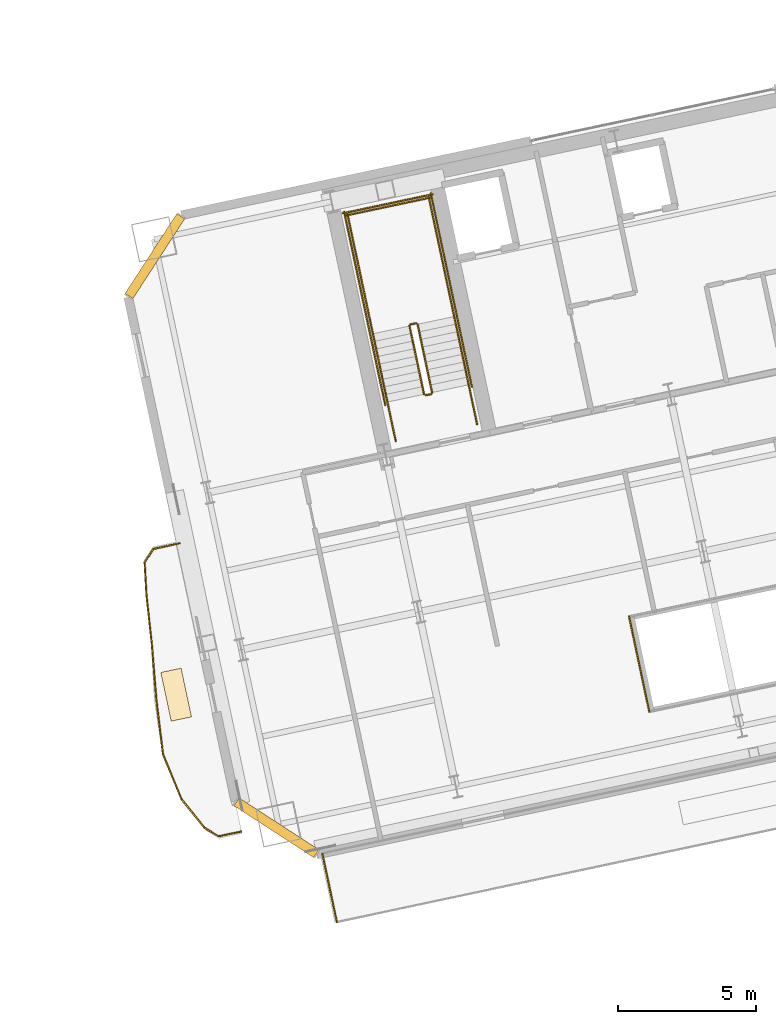
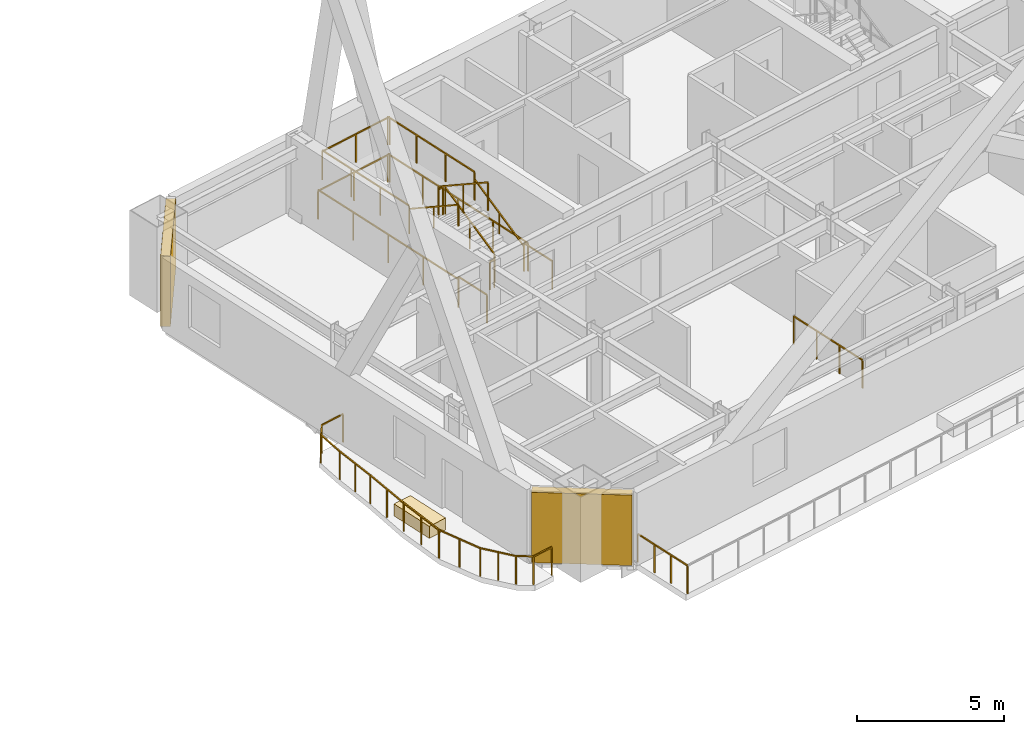
# One storey, part 20 of 22: 26 railings, 2 shading devices, 1 covering.
"""IFC4 building model written with IfcOpenShell, lengths in metres."""

from ifc_helpers import new_model, si_unit, direction, frame, origin, origin_2d, place, context, subcontext, project, spatial, rectangle, extrude, material, layer, layer_set, type_object, element, save


model = new_model("IFC4")

# Units and contexts
model_context = context("Model", 3, precision=1e-05, world=origin(), true_north=direction((0.0, 1.0)))
body_context = subcontext(model_context, "Body", "Model", "MODEL_VIEW")
ifc_project = project(units=[si_unit("LENGTHUNIT", "METRE"), si_unit("AREAUNIT", "SQUARE_METRE"), si_unit("VOLUMEUNIT", "CUBIC_METRE"), si_unit("PLANEANGLEUNIT", "RADIAN"), si_unit("MASSUNIT", "GRAM", prefix="KILO")], contexts=[model_context])

# Site, building, storey
site_placement = place(None, origin())
site = spatial("IfcSite", under=ifc_project, at=site_placement, CompositionType="ELEMENT")
building_placement = place(site_placement, origin())
building = spatial("IfcBuilding", under=site, at=building_placement, Name="Haevon Station Towers", CompositionType="ELEMENT")
storey_placement = place(building_placement, frame((0.0, 0.0, 113.10009765625)))
storey = spatial("IfcBuildingStorey", under=building, at=storey_placement, Name="L30", CompositionType="ELEMENT", Elevation=113.10009765625)

# Railings
ifc_material_1 = material(Name="Steel S355", Category="steel")
railing_type_1 = type_object("IfcRailingType", Name="BAL-ATR1200", PredefinedType="BALUSTRADE", material=ifc_material_1)
railing_1_placement = place(storey_placement, frame((107.55419921875, 31.60400390625, 0.0)))
element("IfcRailing", 1, at=railing_1_placement, inside=storey, type_object=railing_type_1, Name="L30 Atrium Void Balustrade 4", PredefinedType="BALUSTRADE", context=body_context, shape_type="SweptSolid", body=[
    extrude(rectangle(XDim=0.048095703125, YDim=0.048095703125, at=origin_2d()), frame((0.0, 0.0, 1.17578125), z_axis=(0.207898592019, -0.978150384878, 0.0), x_axis=(0.978150384878, 0.207898592019, 0.0)), (0.0, 0.0, 1.0), 3.518310546875),
    extrude(rectangle(XDim=0.0419921875, YDim=0.0419921875, at=origin_2d()), origin(), (0.0, 0.0, 1.0), 1.15185546875),
    extrude(rectangle(XDim=0.0419921875, YDim=0.0419921875, at=origin_2d()), frame((0.243896484375, -1.147216796875, 0.0)), (0.0, 0.0, 1.0), 1.15185546875),
    extrude(rectangle(XDim=0.0419921875, YDim=0.0419921875, at=origin_2d()), frame((0.487548828125, -2.294189453125, 0.0)), (0.0, 0.0, 1.0), 1.15185546875),
    extrude(rectangle(XDim=0.0419921875, YDim=0.0419921875, at=origin_2d()), frame((0.7314453125, -3.44140625, 0.0)), (0.0, 0.0, 1.0), 1.15185546875),
])
railing_type_2 = type_object("IfcRailingType", Name="GRD-EXT1200", PredefinedType="GUARDRAIL", material=ifc_material_1)
railing_2_placement = place(storey_placement, frame((96.47607421875, 23.04296875, 0.0)))
element("IfcRailing", 2, at=railing_2_placement, inside=storey, type_object=railing_type_2, Name="L30 Perimeter Guardrail 3", PredefinedType="GUARDRAIL", context=body_context, shape_type="SweptSolid", body=[
    extrude(rectangle(XDim=0.048095703125, YDim=0.048095703125, at=origin_2d()), frame((0.0, 0.0, 1.17578125), z_axis=(0.207968301241, -0.978135566105, 0.0), x_axis=(0.978135566105, 0.207968301241, 0.0)), (0.0, 0.0, 1.0), 2.5322265625),
    extrude(rectangle(XDim=0.0419921875, YDim=0.0419921875, at=origin_2d()), origin(), (0.0, 0.0, 1.0), 1.15185546875),
    extrude(rectangle(XDim=0.0419921875, YDim=0.0419921875, at=origin_2d()), frame((0.175537109375, -0.82568359375, 0.0)), (0.0, 0.0, 1.0), 1.15185546875),
    extrude(rectangle(XDim=0.0419921875, YDim=0.0419921875, at=origin_2d()), frame((0.35107421875, -1.651123046875, 0.0)), (0.0, 0.0, 1.0), 1.15185546875),
    extrude(rectangle(XDim=0.0419921875, YDim=0.0419921875, at=origin_2d()), frame((0.526611328125, -2.476806640625, 0.0)), (0.0, 0.0, 1.0), 1.15185546875),
])
railing_3_placement = place(storey_placement, frame((91.330078125, 34.251708984375, 0.0)))
element("IfcRailing", 3, at=railing_3_placement, inside=storey, type_object=railing_type_2, Name="L30 Perimeter Guardrail 1", PredefinedType="GUARDRAIL", context=body_context, shape_type="SweptSolid", body=[
    extrude(rectangle(XDim=0.048095703125, YDim=0.048095703125, at=origin_2d()), frame((0.0, 0.0, 1.17578125), z_axis=(-0.97771801885, -0.209922546707, 0.0), x_axis=(0.209922546707, -0.97771801885, 0.0)), (0.0, 0.0, 1.0), 0.974609375),
    extrude(rectangle(XDim=0.0419921875, YDim=0.0419921875, at=origin_2d()), origin(), (0.0, 0.0, 1.0), 1.15185546875),
    extrude(rectangle(XDim=0.0419921875, YDim=0.0419921875, at=origin_2d()), frame((-0.952880859375, -0.20458984375, 0.0)), (0.0, 0.0, 1.0), 1.15185546875),
])
railing_4_placement = place(storey_placement, frame((90.377197265625, 34.047119140625, 0.0)))
element("IfcRailing", 4, at=railing_4_placement, inside=storey, type_object=railing_type_2, Name="L30 Perimeter Guardrail 2", PredefinedType="GUARDRAIL", context=body_context, shape_type="SweptSolid", body=[
    extrude(rectangle(XDim=0.048095703125, YDim=0.048095703125, at=origin_2d()), frame((0.0, 0.0, 1.17578125), z_axis=(-0.548902781063, -0.835886198559, 0.0), x_axis=(0.835886198559, -0.548902781063, 0.0)), (0.0, 0.0, 1.0), 0.58447265625),
    extrude(rectangle(XDim=0.0419921875, YDim=0.0419921875, at=origin_2d()), origin(), (0.0, 0.0, 1.0), 1.15185546875),
    extrude(rectangle(XDim=0.0419921875, YDim=0.0419921875, at=origin_2d()), frame((-0.32080078125, -0.488525390625, 0.0)), (0.0, 0.0, 1.0), 1.15185546875),
])
railing_5_placement = place(storey_placement, frame((90.056396484375, 33.55859375, 0.0)))
element("IfcRailing", 5, at=railing_5_placement, inside=storey, type_object=railing_type_2, Name="L30 Perimeter Guardrail 3", PredefinedType="GUARDRAIL", context=body_context, shape_type="SweptSolid", body=[
    extrude(rectangle(XDim=0.048095703125, YDim=0.048095703125, at=origin_2d()), frame((0.0, 0.0, 1.17578125), z_axis=(0.057319894668, -0.998355863245, 0.0), x_axis=(0.998355863245, 0.057319894668, 0.0)), (0.0, 0.0, 1.0), 1.18408203125),
    extrude(rectangle(XDim=0.0419921875, YDim=0.0419921875, at=origin_2d()), origin(), (0.0, 0.0, 1.0), 1.15185546875),
    extrude(rectangle(XDim=0.0419921875, YDim=0.0419921875, at=origin_2d()), frame((0.06787109375, -1.18212890625, 0.0)), (0.0, 0.0, 1.0), 1.15185546875),
])
railing_6_placement = place(storey_placement, frame((90.124267578125, 32.37646484375, 0.0)))
element("IfcRailing", 6, at=railing_6_placement, inside=storey, type_object=railing_type_2, Name="L30 Perimeter Guardrail 4", PredefinedType="GUARDRAIL", context=body_context, shape_type="SweptSolid", body=[
    extrude(rectangle(XDim=0.048095703125, YDim=0.048095703125, at=origin_2d()), frame((0.0, 0.0, 1.17578125), z_axis=(0.108694440393, -0.994075207732, 0.0), x_axis=(0.994075207732, 0.108694440393, 0.0)), (0.0, 0.0, 1.0), 1.7587890625),
    extrude(rectangle(XDim=0.0419921875, YDim=0.0419921875, at=origin_2d()), origin(), (0.0, 0.0, 1.0), 1.15185546875),
    extrude(rectangle(XDim=0.0419921875, YDim=0.0419921875, at=origin_2d()), frame((0.095703125, -0.8740234375, 0.0)), (0.0, 0.0, 1.0), 1.15185546875),
    extrude(rectangle(XDim=0.0419921875, YDim=0.0419921875, at=origin_2d()), frame((0.191162109375, -1.748291015625, 0.0)), (0.0, 0.0, 1.0), 1.15185546875),
])
railing_7_placement = place(storey_placement, frame((90.3154296875, 30.628173828125, 0.0)))
element("IfcRailing", 7, at=railing_7_placement, inside=storey, type_object=railing_type_2, Name="L30 Perimeter Guardrail 5", PredefinedType="GUARDRAIL", context=body_context, shape_type="SweptSolid", body=[
    extrude(rectangle(XDim=0.048095703125, YDim=0.048095703125, at=origin_2d()), frame((0.0, 0.0, 1.17578125), z_axis=(0.081453337107, -0.996677156292, 0.0), x_axis=(0.996677156292, 0.081453337107, 0.0)), (0.0, 0.0, 1.0), 2.005126953125),
    extrude(rectangle(XDim=0.0419921875, YDim=0.0419921875, at=origin_2d()), origin(), (0.0, 0.0, 1.0), 1.15185546875),
    extrude(rectangle(XDim=0.0419921875, YDim=0.0419921875, at=origin_2d()), frame((0.08154296875, -0.999267578125, 0.0)), (0.0, 0.0, 1.0), 1.15185546875),
    extrude(rectangle(XDim=0.0419921875, YDim=0.0419921875, at=origin_2d()), frame((0.163330078125, -1.99853515625, 0.0)), (0.0, 0.0, 1.0), 1.15185546875),
])
railing_8_placement = place(storey_placement, frame((90.478759765625, 28.629638671875, 0.0)))
element("IfcRailing", 8, at=railing_8_placement, inside=storey, type_object=railing_type_2, Name="L30 Perimeter Guardrail 6", PredefinedType="GUARDRAIL", context=body_context, shape_type="SweptSolid", body=[
    extrude(rectangle(XDim=0.048095703125, YDim=0.048095703125, at=origin_2d()), frame((0.0, 0.0, 1.17578125), z_axis=(0.120145587776, -0.992756283152, 0.0), x_axis=(0.992756283152, 0.120145587776, 0.0)), (0.0, 0.0, 1.0), 2.00146484375),
    extrude(rectangle(XDim=0.0419921875, YDim=0.0419921875, at=origin_2d()), origin(), (0.0, 0.0, 1.0), 1.15185546875),
    extrude(rectangle(XDim=0.0419921875, YDim=0.0419921875, at=origin_2d()), frame((0.1201171875, -0.99365234375, 0.0)), (0.0, 0.0, 1.0), 1.15185546875),
    extrude(rectangle(XDim=0.0419921875, YDim=0.0419921875, at=origin_2d()), frame((0.240478515625, -1.987060546875, 0.0)), (0.0, 0.0, 1.0), 1.15185546875),
])
railing_9_placement = place(storey_placement, frame((90.71923828125, 26.642578125, 0.0)))
element("IfcRailing", 9, at=railing_9_placement, inside=storey, type_object=railing_type_2, Name="L30 Perimeter Guardrail 7", PredefinedType="GUARDRAIL", context=body_context, shape_type="SweptSolid", body=[
    extrude(rectangle(XDim=0.048095703125, YDim=0.048095703125, at=origin_2d()), frame((0.0, 0.0, 1.17578125), z_axis=(0.38000924895, -0.92498268671, 0.0), x_axis=(0.92498268671, 0.38000924895, 0.0)), (0.0, 0.0, 1.0), 1.7744140625),
    extrude(rectangle(XDim=0.0419921875, YDim=0.0419921875, at=origin_2d()), origin(), (0.0, 0.0, 1.0), 1.15185546875),
    extrude(rectangle(XDim=0.0419921875, YDim=0.0419921875, at=origin_2d()), frame((0.337158203125, -0.82080078125, 0.0)), (0.0, 0.0, 1.0), 1.15185546875),
    extrude(rectangle(XDim=0.0419921875, YDim=0.0419921875, at=origin_2d()), frame((0.67431640625, -1.641357421875, 0.0)), (0.0, 0.0, 1.0), 1.15185546875),
])
railing_10_placement = place(storey_placement, frame((91.3935546875, 25.001220703125, 0.0)))
element("IfcRailing", 10, at=railing_10_placement, inside=storey, type_object=railing_type_2, Name="L30 Perimeter Guardrail 8", PredefinedType="GUARDRAIL", context=body_context, shape_type="SweptSolid", body=[
    extrude(rectangle(XDim=0.048095703125, YDim=0.048095703125, at=origin_2d()), frame((0.0, 0.0, 1.17578125), z_axis=(0.628207120121, -0.778046151735, 0.0), x_axis=(0.778046151735, 0.628207120121, 0.0)), (0.0, 0.0, 1.0), 1.3115234375),
    extrude(rectangle(XDim=0.0419921875, YDim=0.0419921875, at=origin_2d()), origin(), (0.0, 0.0, 1.0), 1.15185546875),
    extrude(rectangle(XDim=0.0419921875, YDim=0.0419921875, at=origin_2d()), frame((0.412109375, -0.51025390625, 0.0)), (0.0, 0.0, 1.0), 1.15185546875),
    extrude(rectangle(XDim=0.0419921875, YDim=0.0419921875, at=origin_2d()), frame((0.823974609375, -1.0205078125, 0.0)), (0.0, 0.0, 1.0), 1.15185546875),
])
railing_11_placement = place(storey_placement, frame((92.217529296875, 23.980712890625, 0.0)))
element("IfcRailing", 11, at=railing_11_placement, inside=storey, type_object=railing_type_2, Name="L30 Perimeter Guardrail 9", PredefinedType="GUARDRAIL", context=body_context, shape_type="SweptSolid", body=[
    extrude(rectangle(XDim=0.048095703125, YDim=0.048095703125, at=origin_2d()), frame((0.0, 0.0, 1.17578125), z_axis=(0.850090143897, -0.52663720648, 0.0), x_axis=(0.52663720648, 0.850090143897, 0.0)), (0.0, 0.0, 1.0), 0.5947265625),
    extrude(rectangle(XDim=0.0419921875, YDim=0.0419921875, at=origin_2d()), origin(), (0.0, 0.0, 1.0), 1.15185546875),
    extrude(rectangle(XDim=0.0419921875, YDim=0.0419921875, at=origin_2d()), frame((0.505615234375, -0.313232421875, 0.0)), (0.0, 0.0, 1.0), 1.15185546875),
])
railing_12_placement = place(storey_placement, frame((92.72314453125, 23.66748046875, 0.0)))
element("IfcRailing", 12, at=railing_12_placement, inside=storey, type_object=railing_type_2, Name="L30 Perimeter Guardrail 10", PredefinedType="GUARDRAIL", context=body_context, shape_type="SweptSolid", body=[
    extrude(rectangle(XDim=0.048095703125, YDim=0.048095703125, at=origin_2d()), frame((0.0, 0.0, 1.17578125), z_axis=(0.978617737227, 0.20568744343, 0.0), x_axis=(-0.20568744343, 0.978617737227, 0.0)), (0.0, 0.0, 1.0), 0.837890625),
    extrude(rectangle(XDim=0.0419921875, YDim=0.0419921875, at=origin_2d()), origin(), (0.0, 0.0, 1.0), 1.15185546875),
    extrude(rectangle(XDim=0.0419921875, YDim=0.0419921875, at=origin_2d()), frame((0.820068359375, 0.17236328125, 0.0)), (0.0, 0.0, 1.0), 1.15185546875),
])
railing_type_3 = type_object("IfcRailingType", Name="GRD-STR1200", PredefinedType="GUARDRAIL", material=ifc_material_1)
railing_13_placement = place(storey_placement, frame((100.44140625, 39.69287109375, 0.164794921875)))
element("IfcRailing", 13, at=railing_13_placement, inside=storey, type_object=railing_type_3, Name="L30 ST3 Stair Guard 1", PredefinedType="GUARDRAIL", context=body_context, shape_type="SweptSolid", body=[
    extrude(rectangle(XDim=0.048095703125, YDim=0.048095703125, at=origin_2d()), frame((0.0, 0.0, 1.17578125), z_axis=(-0.179121265225, 0.842687928106, 0.507732831485), x_axis=(-0.978147030254, -0.207914374695, 0.0)), (0.0, 0.0, 1.0), 2.925048828125),
    extrude(rectangle(XDim=0.0419921875, YDim=0.0419921875, at=origin_2d()), origin(), (0.0, 0.0, 1.0), 1.15185546875),
    extrude(rectangle(XDim=0.0419921875, YDim=0.0419921875, at=origin_2d()), frame((-0.261962890625, 1.232421875, 0.74267578125)), (0.0, 0.0, 1.0), 1.15185546875),
    extrude(rectangle(XDim=0.0419921875, YDim=0.0419921875, at=origin_2d()), frame((-0.52392578125, 2.46484375, 1.485107421875)), (0.0, 0.0, 1.0), 1.15185546875),
])
railing_14_placement = place(storey_placement, frame((99.858154296875, 42.1962890625, 1.64990234375)))
element("IfcRailing", 14, at=railing_14_placement, inside=storey, type_object=railing_type_3, Name="L30 ST3 Stair Guard 2", PredefinedType="GUARDRAIL", context=body_context, shape_type="SweptSolid", body=[
    extrude(rectangle(XDim=0.048095703125, YDim=0.048095703125, at=origin_2d()), frame((0.0, 0.0, 1.17578125), z_axis=(-0.977962931203, -0.208778603291, 0.0), x_axis=(0.208778603291, -0.977962931203, 0.0)), (0.0, 0.0, 1.0), 0.199951171875),
    extrude(rectangle(XDim=0.0419921875, YDim=0.0419921875, at=origin_2d()), origin(), (0.0, 0.0, 1.0), 1.15185546875),
    extrude(rectangle(XDim=0.0419921875, YDim=0.0419921875, at=origin_2d()), frame((-0.195556640625, -0.041748046875, 0.0)), (0.0, 0.0, 1.0), 1.15185546875),
])
railing_15_placement = place(storey_placement, frame((101.238037109375, 42.4384765625, 1.64990234375)))
element("IfcRailing", 15, at=railing_15_placement, inside=storey, type_object=railing_type_3, Name="L30 ST3 Stair Guard 3", PredefinedType="GUARDRAIL", context=body_context, shape_type="SweptSolid", body=[
    extrude(rectangle(XDim=0.048095703125, YDim=0.048095703125, at=origin_2d()), frame((0.0, 0.0, 1.17578125), z_axis=(-0.20794048909, 0.978141479029, 0.0), x_axis=(-0.978141479029, -0.20794048909, 0.0)), (0.0, 0.0, 1.0), 4.429931640625),
    extrude(rectangle(XDim=0.0419921875, YDim=0.0419921875, at=origin_2d()), origin(), (0.0, 0.0, 1.0), 1.15185546875),
    extrude(rectangle(XDim=0.0419921875, YDim=0.0419921875, at=origin_2d()), frame((-0.30712890625, 1.4443359375, 0.0)), (0.0, 0.0, 1.0), 1.15185546875),
    extrude(rectangle(XDim=0.0419921875, YDim=0.0419921875, at=origin_2d()), frame((-0.614013671875, 2.888671875, 0.0)), (0.0, 0.0, 1.0), 1.15185546875),
    extrude(rectangle(XDim=0.0419921875, YDim=0.0419921875, at=origin_2d()), frame((-0.921142578125, 4.3330078125, 0.0)), (0.0, 0.0, 1.0), 1.15185546875),
])
railing_16_placement = place(storey_placement, frame((98.303466796875, 41.814697265625, 1.64990234375)))
element("IfcRailing", 16, at=railing_16_placement, inside=storey, type_object=railing_type_3, Name="L30 ST3 Stair Guard 4", PredefinedType="GUARDRAIL", context=body_context, shape_type="SweptSolid", body=[
    extrude(rectangle(XDim=0.048095703125, YDim=0.048095703125, at=origin_2d()), frame((0.0, 0.0, 1.17578125), z_axis=(-0.207876551949, 0.978155069071, 0.0), x_axis=(-0.978155069071, -0.207876551949, 0.0)), (0.0, 0.0, 1.0), 4.429931640625),
    extrude(rectangle(XDim=0.0419921875, YDim=0.0419921875, at=origin_2d()), origin(), (0.0, 0.0, 1.0), 1.15185546875),
    extrude(rectangle(XDim=0.0419921875, YDim=0.0419921875, at=origin_2d()), frame((-0.306884765625, 1.4443359375, 0.0)), (0.0, 0.0, 1.0), 1.15185546875),
    extrude(rectangle(XDim=0.0419921875, YDim=0.0419921875, at=origin_2d()), frame((-0.614013671875, 2.888916015625, 0.0)), (0.0, 0.0, 1.0), 1.15185546875),
    extrude(rectangle(XDim=0.0419921875, YDim=0.0419921875, at=origin_2d()), frame((-0.9208984375, 4.333251953125, 0.0)), (0.0, 0.0, 1.0), 1.15185546875),
])
railing_17_placement = place(storey_placement, frame((100.376220703125, 46.733154296875, 1.64990234375)))
element("IfcRailing", 17, at=railing_17_placement, inside=storey, type_object=railing_type_3, Name="L30 ST3 Stair Guard 5", PredefinedType="GUARDRAIL", context=body_context, shape_type="SweptSolid", body=[
    extrude(rectangle(XDim=0.048095703125, YDim=0.048095703125, at=origin_2d()), frame((0.0, 0.0, 1.17578125), z_axis=(-0.978146839882, -0.207915270313, 0.0), x_axis=(0.207915270313, -0.978146839882, 0.0)), (0.0, 0.0, 1.0), 3.099853515625),
    extrude(rectangle(XDim=0.0419921875, YDim=0.0419921875, at=origin_2d()), origin(), (0.0, 0.0, 1.0), 1.15185546875),
    extrude(rectangle(XDim=0.0419921875, YDim=0.0419921875, at=origin_2d()), frame((-1.51611328125, -0.322265625, 0.0)), (0.0, 0.0, 1.0), 1.15185546875),
    extrude(rectangle(XDim=0.0419921875, YDim=0.0419921875, at=origin_2d()), frame((-3.0322265625, -0.64453125, 0.0)), (0.0, 0.0, 1.0), 1.15185546875),
])
railing_18_placement = place(storey_placement, frame((99.6240234375, 42.09521484375, 1.81494140625)))
element("IfcRailing", 18, at=railing_18_placement, inside=storey, type_object=railing_type_3, Name="L30 ST3 Stair Guard 6", PredefinedType="GUARDRAIL", context=body_context, shape_type="SweptSolid", body=[
    extrude(rectangle(XDim=0.048095703125, YDim=0.048095703125, at=origin_2d()), frame((0.0, 0.0, 1.17578125), z_axis=(0.179128856099, -0.842723639875, 0.507670877349), x_axis=(0.978147030254, 0.207914374695, 0.0)), (0.0, 0.0, 1.0), 2.9248046875),
    extrude(rectangle(XDim=0.0419921875, YDim=0.0419921875, at=origin_2d()), origin(), (0.0, 0.0, 1.0), 1.15185546875),
    extrude(rectangle(XDim=0.0419921875, YDim=0.0419921875, at=origin_2d()), frame((0.261962890625, -1.232421875, 0.742431640625)), (0.0, 0.0, 1.0), 1.15185546875),
    extrude(rectangle(XDim=0.0419921875, YDim=0.0419921875, at=origin_2d()), frame((0.52392578125, -2.46484375, 1.48486328125)), (0.0, 0.0, 1.0), 1.15185546875),
])
railing_19_placement = place(storey_placement, frame((100.40283203125, 39.633544921875, 0.0)))
element("IfcRailing", 19, at=railing_19_placement, inside=storey, type_object=railing_type_3, Name="L30 ST3 Stair Guard 7", PredefinedType="GUARDRAIL", context=body_context, shape_type="SweptSolid", body=[
    extrude(rectangle(XDim=0.048095703125, YDim=0.048095703125, at=origin_2d()), frame((0.0, 0.0, 1.17578125), z_axis=(-0.977962931203, -0.208778603291, 0.0), x_axis=(0.208778603291, -0.977962931203, 0.0)), (0.0, 0.0, 1.0), 0.199951171875),
    extrude(rectangle(XDim=0.0419921875, YDim=0.0419921875, at=origin_2d()), origin(), (0.0, 0.0, 1.0), 1.15185546875),
    extrude(rectangle(XDim=0.0419921875, YDim=0.0419921875, at=origin_2d()), frame((-0.195556640625, -0.041748046875, 0.0)), (0.0, 0.0, 1.0), 1.15185546875),
])
for number, where, name in (
    (20, (102.0634765625, 38.55517578125, 0.0), "L30 ST3 Stair Guard 8"),
    (21, (99.12890625, 37.931396484375, 0.0), "L30 ST3 Stair Guard 9"),
):
    element("IfcRailing", number, at=place(storey_placement, frame(where)), inside=storey, type_object=railing_type_3, Name=name, PredefinedType="GUARDRAIL", context=body_context, shape_type="SweptSolid", body=[
        extrude(rectangle(XDim=0.048095703125, YDim=0.048095703125, at=origin_2d()), frame((0.0, 0.0, 1.17578125), z_axis=(-0.207953405961, 0.978138732977, 0.0), x_axis=(-0.978138732977, -0.207953405961, 0.0)), (0.0, 0.0, 1.0), 1.449951171875),
        extrude(rectangle(XDim=0.0419921875, YDim=0.0419921875, at=origin_2d()), origin(), (0.0, 0.0, 1.0), 1.15185546875),
        extrude(rectangle(XDim=0.0419921875, YDim=0.0419921875, at=origin_2d()), frame((-0.301513671875, 1.418212890625, 0.0)), (0.0, 0.0, 1.0), 1.15185546875),
    ])
railing_20_placement = place(storey_placement, frame((101.88037109375, 39.896484375, 0.0)))
element("IfcRailing", 22, at=railing_20_placement, inside=storey, type_object=railing_type_3, Name="L30 ST3 Stair Guard 10", PredefinedType="GUARDRAIL", context=body_context, shape_type="SweptSolid", body=[
    extrude(rectangle(XDim=0.048095703125, YDim=0.048095703125, at=origin_2d()), frame((0.0, 0.0, 1.17578125), z_axis=(-0.207882442208, 0.978153817261, 0.0), x_axis=(-0.978153817261, -0.207882442208, 0.0)), (0.0, 0.0, 1.0), 7.14990234375),
    extrude(rectangle(XDim=0.0419921875, YDim=0.0419921875, at=origin_2d()), origin(), (0.0, 0.0, 1.0), 1.15185546875),
    extrude(rectangle(XDim=0.0419921875, YDim=0.0419921875, at=origin_2d()), frame((-0.37158203125, 1.74853515625, 0.0)), (0.0, 0.0, 1.0), 1.15185546875),
    extrude(rectangle(XDim=0.0419921875, YDim=0.0419921875, at=origin_2d()), frame((-0.7431640625, 3.496826171875, 0.0)), (0.0, 0.0, 1.0), 1.15185546875),
    extrude(rectangle(XDim=0.0419921875, YDim=0.0419921875, at=origin_2d()), frame((-1.11474609375, 5.2451171875, 0.0)), (0.0, 0.0, 1.0), 1.15185546875),
    extrude(rectangle(XDim=0.0419921875, YDim=0.0419921875, at=origin_2d()), frame((-1.486328125, 6.99365234375, 0.0)), (0.0, 0.0, 1.0), 1.15185546875),
])
railing_21_placement = place(storey_placement, frame((98.75048828125, 39.231201171875, 0.0)))
element("IfcRailing", 23, at=railing_21_placement, inside=storey, type_object=railing_type_3, Name="L30 ST3 Stair Guard 11", PredefinedType="GUARDRAIL", context=body_context, shape_type="SweptSolid", body=[
    extrude(rectangle(XDim=0.048095703125, YDim=0.048095703125, at=origin_2d()), frame((0.0, 0.0, 1.17578125), z_axis=(-0.207915112487, 0.978146873429, 0.0), x_axis=(-0.978146873429, -0.207915112487, 0.0)), (0.0, 0.0, 1.0), 7.14990234375),
    extrude(rectangle(XDim=0.0419921875, YDim=0.0419921875, at=origin_2d()), origin(), (0.0, 0.0, 1.0), 1.15185546875),
    extrude(rectangle(XDim=0.0419921875, YDim=0.0419921875, at=origin_2d()), frame((-0.37158203125, 1.74853515625, 0.0)), (0.0, 0.0, 1.0), 1.15185546875),
    extrude(rectangle(XDim=0.0419921875, YDim=0.0419921875, at=origin_2d()), frame((-0.7431640625, 3.496826171875, 0.0)), (0.0, 0.0, 1.0), 1.15185546875),
    extrude(rectangle(XDim=0.0419921875, YDim=0.0419921875, at=origin_2d()), frame((-1.114990234375, 5.2451171875, 0.0)), (0.0, 0.0, 1.0), 1.15185546875),
    extrude(rectangle(XDim=0.0419921875, YDim=0.0419921875, at=origin_2d()), frame((-1.486572265625, 6.99365234375, 0.0)), (0.0, 0.0, 1.0), 1.15185546875),
])
railing_22_placement = place(storey_placement, frame((100.453125, 46.8515625, 0.0)))
element("IfcRailing", 24, at=railing_22_placement, inside=storey, type_object=railing_type_3, Name="L30 ST3 Stair Guard 12", PredefinedType="GUARDRAIL", context=body_context, shape_type="SweptSolid", body=[
    extrude(rectangle(XDim=0.048095703125, YDim=0.048095703125, at=origin_2d()), frame((0.0, 0.0, 1.17578125), z_axis=(-0.978150764849, -0.207896804268, 0.0), x_axis=(0.207896804268, -0.978150764849, 0.0)), (0.0, 0.0, 1.0), 3.2998046875),
    extrude(rectangle(XDim=0.0419921875, YDim=0.0419921875, at=origin_2d()), origin(), (0.0, 0.0, 1.0), 1.15185546875),
    extrude(rectangle(XDim=0.0419921875, YDim=0.0419921875, at=origin_2d()), frame((-1.61376953125, -0.343017578125, 0.0)), (0.0, 0.0, 1.0), 1.15185546875),
    extrude(rectangle(XDim=0.0419921875, YDim=0.0419921875, at=origin_2d()), frame((-3.227783203125, -0.68603515625, 0.0)), (0.0, 0.0, 1.0), 1.15185546875),
])
railing_type_4 = type_object("IfcRailingType", Name="HND-STR900", PredefinedType="HANDRAIL", material=ifc_material_1)
railing_23_placement = place(storey_placement, frame((101.761962890625, 39.973388671875, 0.164794921875)))
element("IfcRailing", 25, at=railing_23_placement, inside=storey, type_object=railing_type_4, Name="L30 ST3 Stair Handrail 1", PredefinedType="HANDRAIL", context=body_context, shape_type="SweptSolid", body=[
    extrude(rectangle(XDim=0.048095703125, YDim=0.048095703125, at=origin_2d()), frame((0.0, 0.0, 0.8759765625), z_axis=(-0.179108667068, 0.842712120868, 0.50769712105), x_axis=(-0.978151217824, -0.207894673017, 0.0)), (0.0, 0.0, 1.0), 2.92529296875),
    extrude(rectangle(XDim=0.0419921875, YDim=0.0419921875, at=origin_2d()), origin(), (0.0, 0.0, 1.0), 0.851806640625),
    extrude(rectangle(XDim=0.0419921875, YDim=0.0419921875, at=origin_2d()), frame((-0.261962890625, 1.232421875, 0.74267578125)), (0.0, 0.0, 1.0), 0.851806640625),
    extrude(rectangle(XDim=0.0419921875, YDim=0.0419921875, at=origin_2d()), frame((-0.52392578125, 2.465087890625, 1.485107421875)), (0.0, 0.0, 1.0), 0.851806640625),
])
railing_24_placement = place(storey_placement, frame((98.303466796875, 41.814697265625, 1.81494140625)))
element("IfcRailing", 26, at=railing_24_placement, inside=storey, type_object=railing_type_4, Name="L30 ST3 Stair Handrail 2", PredefinedType="HANDRAIL", context=body_context, shape_type="SweptSolid", body=[
    extrude(rectangle(XDim=0.048095703125, YDim=0.048095703125, at=origin_2d()), frame((0.0, 0.0, 0.8759765625), z_axis=(0.179116256339, -0.842747828638, 0.507635168246), x_axis=(0.978151217824, 0.207894673017, 0.0)), (0.0, 0.0, 1.0), 2.925048828125),
    extrude(rectangle(XDim=0.0419921875, YDim=0.0419921875, at=origin_2d()), origin(), (0.0, 0.0, 1.0), 0.851806640625),
    extrude(rectangle(XDim=0.0419921875, YDim=0.0419921875, at=origin_2d()), frame((0.261962890625, -1.232421875, 0.742431640625)), (0.0, 0.0, 1.0), 0.851806640625),
    extrude(rectangle(XDim=0.0419921875, YDim=0.0419921875, at=origin_2d()), frame((0.52392578125, -2.465087890625, 1.48486328125)), (0.0, 0.0, 1.0), 0.851806640625),
])

# Covering
ifc_material_2 = material(Name="Architectural planter GRC", Category="concrete")
ifc_layer_1 = layer(ifc_material_2, 0.550048828125)
ifc_layer_set_1 = layer_set([ifc_layer_1], Name="Architectural planter GRC")
covering_type = type_object("IfcCoveringType", Name="PLN-GRC550", PredefinedType="MOLDING", material=ifc_layer_set_1)
covering_placement = place(storey_placement, frame((91.19775390625, 28.782470703125, 0.0), z_axis=(0.0, 0.0, 1.0), x_axis=(0.978147600734, 0.207911690818, 0.0)))
element("IfcCovering", 27, at=covering_placement, inside=storey, type_object=covering_type, Name="Tower 2 L30 Scalloped Balcony PLANTER", PredefinedType="MOLDING", context=body_context, shape_type="SweptSolid", body=[
    extrude(rectangle(XDim=0.75, YDim=1.800048828125, at=origin_2d()), origin(), (0.0, 0.0, 1.0), 0.5),
])

# Shading devices
ifc_material_3 = material(Name="Anodised aluminium 6063-T6", Category="aluminium")
ifc_layer_2 = layer(ifc_material_3, 0.139892578125)
ifc_layer_set_2 = layer_set([ifc_layer_2], Name="Anodised aluminium 6063-T6")
shading_device_type = type_object("IfcShadingDeviceType", Name="SHD-WIND-BAFFLE", PredefinedType="SHUTTER", material=ifc_layer_set_2)
for number, where, z_axis, x_axis, name in (
    (28, (94.8154296875, 23.979736328125, 0.0498046875), (0.0, 0.0, 1.0), (-0.838670519647, 0.544639109388, 0.0), "Tower 2 L30 Wind-Corner Aerofoil Baffle SWC"),
    (29, (90.428466796875, 44.61865234375, 0.0498046875), (0.0, 0.0, 1.0), (0.544638980197, 0.838670603544, 0.0), "Tower 2 L30 Wind-Corner Aerofoil Baffle NWC"),
):
    element("IfcShadingDevice", number, at=place(storey_placement, frame(where, z_axis=z_axis, x_axis=x_axis)), inside=storey, type_object=shading_device_type, Name=name, PredefinedType="SHUTTER", context=body_context, shape_type="SweptSolid", body=[
        extrude(rectangle(XDim=3.435546875, YDim=0.340087890625, at=origin_2d()), origin(), (0.0, 0.0, 1.0), 2.929931640625),
    ])

save(model, "model.ifc")
